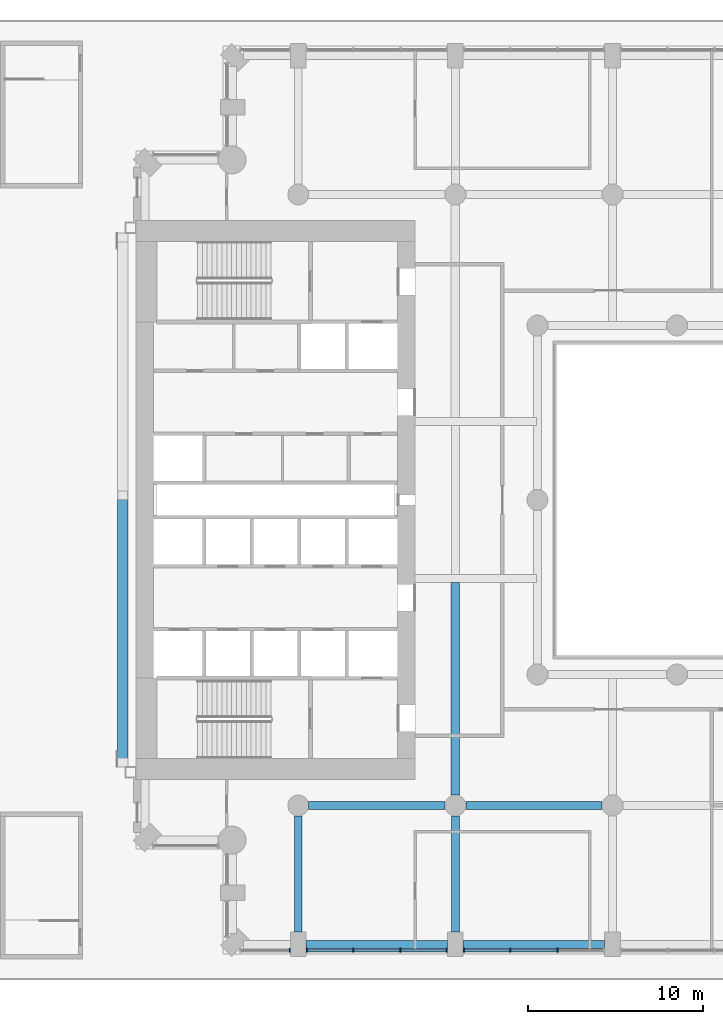
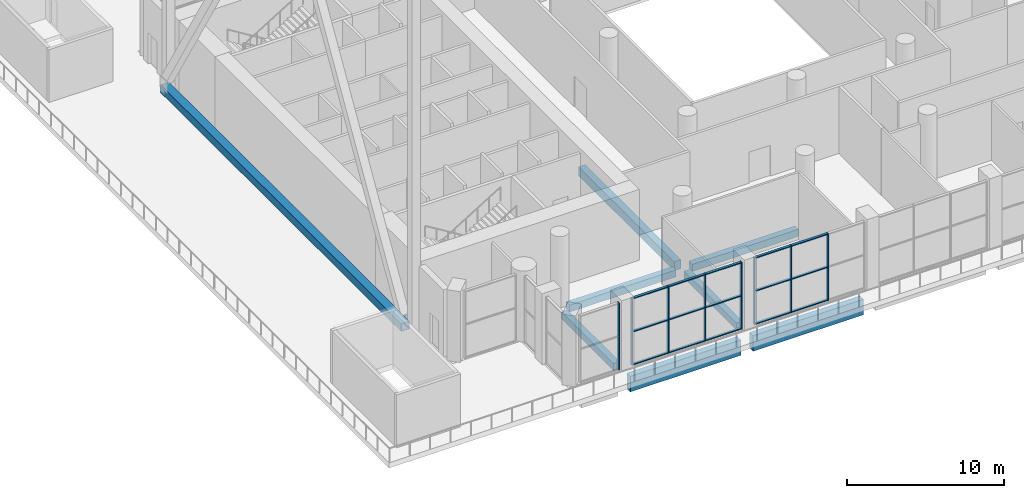
# One storey, part 4 of 26: 24 members, 7 beams, 3 elements without a shape of their own.
"""IFC4 building model written with IfcOpenShell, lengths in metres."""

from ifc_helpers import new_model, si_unit, direction, frame, origin, origin_2d, place, context, subcontext, project, spatial, rectangle, hollow_rectangle, extrude, material, material_profile, profile_set, type_object, element, aggregate, save


model = new_model("IFC4")

# Units and contexts
model_context = context("Model", 3, precision=1e-05, world=origin(), true_north=direction((0.0, 1.0)))
body_context = subcontext(model_context, "Body", "Model", "MODEL_VIEW")
ifc_project = project(units=[si_unit("LENGTHUNIT", "METRE"), si_unit("AREAUNIT", "SQUARE_METRE"), si_unit("VOLUMEUNIT", "CUBIC_METRE"), si_unit("PLANEANGLEUNIT", "RADIAN"), si_unit("MASSUNIT", "GRAM", prefix="KILO")], contexts=[model_context])

# Site, building, storey
site_placement = place(None, origin())
site = spatial("IfcSite", under=ifc_project, at=site_placement, CompositionType="ELEMENT")
building_placement = place(site_placement, origin())
building = spatial("IfcBuilding", under=site, at=building_placement, Name="Cypress Arch Tower", CompositionType="ELEMENT")
storey_placement = place(building_placement, frame((0.0, 0.0, 50.0)))
storey = spatial("IfcBuildingStorey", under=building, at=storey_placement, Name="L06", CompositionType="ELEMENT", Elevation=50.0)

# Beams
ifc_material_1 = material(Name="Concrete C50/60", Category="concrete")
ifc_material_profile_1 = material_profile(ifc_material_1, rectangle(XDim=0.449951171875, YDim=0.550048828125, at=origin_2d()), Name="RC 450x550")
ifc_profile_set_1 = profile_set([ifc_material_profile_1], Name="Concrete C50/60")
beam_type_1 = type_object("IfcBeamType", Name="Floor beam RC 450x550 Concrete C50/60", PredefinedType="BEAM", material=ifc_profile_set_1)
for number, where, z_axis, x_axis, name in (
    (1, (-20.10009765625, -17.5, -0.574951171875), (1.0, 0.0, 0.0), (0.0, 1.0, 0.0), "Floor beam L06 FB009"),
    (2, (-11.10009765625, -17.5, -0.574951171875), (1.0, 0.0, 0.0), (0.0, 1.0, 0.0), "Floor beam L06 FB010"),
):
    element("IfcBeam", number, at=place(storey_placement, frame(where, z_axis=z_axis, x_axis=x_axis)), inside=storey, type_object=beam_type_1, Name=name, PredefinedType="BEAM", context=body_context, shape_type="SweptSolid", body=[
        extrude(rectangle(XDim=0.449951171875, YDim=0.550048828125, at=origin_2d()), origin(), (0.0, 0.0, 1.0), 7.800048828125),
    ])
for number, where, z_axis, x_axis, name in (
    (3, (-20.699951171875, -24.75, -0.574951171875), (0.0, 1.0, 0.0), (-1.0, 0.0, 0.0), "Floor beam L06 FB019"),
    (4, (-11.699951171875, -24.75, -0.574951171875), (0.0, 1.0, 0.0), (-1.0, 0.0, 0.0), "Floor beam L06 FB021"),
):
    element("IfcBeam", number, at=place(storey_placement, frame(where, z_axis=z_axis, x_axis=x_axis)), inside=storey, type_object=beam_type_1, Name=name, PredefinedType="BEAM", context=body_context, shape_type="SweptSolid", body=[
        extrude(rectangle(XDim=0.449951171875, YDim=0.550048828125, at=origin_2d()), origin(), (0.0, 0.0, 1.0), 6.64990234375),
    ])
ifc_material_2 = material(Name="Concrete C50/60", Category="concrete")
ifc_material_profile_2 = material_profile(ifc_material_2, rectangle(XDim=0.5, YDim=0.699951171875, at=origin_2d()), Name="RC 500x700")
ifc_profile_set_2 = profile_set([ifc_material_profile_2], Name="Concrete C50/60")
beam_type_2 = type_object("IfcBeamType", Name="Floor beam RC 500x700 Concrete C50/60", PredefinedType="BEAM", material=ifc_profile_set_2)
beam_placement = place(storey_placement, frame((-11.699951171875, -16.89990234375, -0.64990234375), z_axis=(0.0, 1.0, 0.0), x_axis=(-1.0, 0.0, 0.0)))
element("IfcBeam", 5, at=beam_placement, inside=storey, type_object=beam_type_2, Name="Floor beam L06 FB022", PredefinedType="BEAM", context=body_context, shape_type="SweptSolid", body=[
    extrude(rectangle(XDim=0.5, YDim=0.699951171875, at=origin_2d()), origin(), (0.0, 0.0, 1.0), 12.1748046875),
])

# Curtain wall, member
ifc_material_3 = material(Name="Anodised aluminium, bronze finish, solar control laminated double glazing", Category="aluminium")
curtain_wall_type = type_object("IfcCurtainWallType", Name="Curtain wall CW3 sky lobby glazing", PredefinedType="NOTDEFINED", material=ifc_material_3)
curtain_wall_1_placement = place(storey_placement, origin())
curtain_wall_1 = element("IfcCurtainWall", 6, at=curtain_wall_1_placement, inside=storey, type_object=curtain_wall_type, Name="Curtain wall L06 A03.0.1", PredefinedType="NOTDEFINED")
ifc_material_4 = material(Name="Anodised aluminium, bronze finish", Category="aluminium")
ifc_material_profile_3 = material_profile(ifc_material_4, rectangle(XDim=0.219970703125, YDim=0.074951171875, at=origin_2d()), Name="Mullion 75x220")
ifc_profile_set_3 = profile_set([ifc_material_profile_3], Name="Anodised aluminium, bronze finish")
member_type_1 = type_object("IfcMemberType", Name="Mullion CW3 75x220", PredefinedType="MULLION", material=ifc_profile_set_3)
member_1_placement = place(storey_placement, frame((-21.1875, -25.800048828125, 0.0), z_axis=(0.0, 0.0, 1.0), x_axis=(0.0, 1.0, 0.0)))
member_1 = element("IfcMember", 7, at=member_1_placement, type_object=member_type_1, Name="CW3 mullion 2", PredefinedType="MULLION", context=body_context, shape_type="SweptSolid", body=[
    extrude(rectangle(XDim=0.219970703125, YDim=0.074951171875, at=origin_2d()), origin(), (0.0, 0.0, 1.0), 5.199951171875),
])
aggregate(curtain_wall_1, [member_1])

# Curtain wall, members
curtain_wall_2_placement = place(storey_placement, origin())
curtain_wall_2 = element("IfcCurtainWall", 8, at=curtain_wall_2_placement, inside=storey, type_object=curtain_wall_type, Name="Curtain wall L06 A03.1.1", PredefinedType="NOTDEFINED")
member_2_placement = place(storey_placement, frame((-20.21240234375, -25.800048828125, 0.0), z_axis=(0.0, 0.0, 1.0), x_axis=(0.0, 1.0, 0.0)))
member_2 = element("IfcMember", 9, at=member_2_placement, type_object=member_type_1, Name="CW3 mullion 1", PredefinedType="MULLION", context=body_context, shape_type="SweptSolid", body=[
    extrude(rectangle(XDim=0.219970703125, YDim=0.074951171875, at=origin_2d()), origin(), (0.0, 0.0, 1.0), 5.199951171875),
])
member_3_placement = place(storey_placement, frame((-17.550048828125, -25.800048828125, 0.0), z_axis=(0.0, 0.0, 1.0), x_axis=(0.0, 1.0, 0.0)))
member_3 = element("IfcMember", 10, at=member_3_placement, type_object=member_type_1, Name="CW3 mullion 2", PredefinedType="MULLION", context=body_context, shape_type="SweptSolid", body=[
    extrude(rectangle(XDim=0.219970703125, YDim=0.074951171875, at=origin_2d()), origin(), (0.0, 0.0, 1.0), 5.199951171875),
])
member_4_placement = place(storey_placement, frame((-14.85009765625, -25.800048828125, 0.0), z_axis=(0.0, 0.0, 1.0), x_axis=(0.0, 1.0, 0.0)))
member_4 = element("IfcMember", 11, at=member_4_placement, type_object=member_type_1, Name="CW3 mullion 3", PredefinedType="MULLION", context=body_context, shape_type="SweptSolid", body=[
    extrude(rectangle(XDim=0.219970703125, YDim=0.074951171875, at=origin_2d()), origin(), (0.0, 0.0, 1.0), 5.199951171875),
])
member_5_placement = place(storey_placement, frame((-12.1875, -25.800048828125, 0.0), z_axis=(0.0, 0.0, 1.0), x_axis=(0.0, 1.0, 0.0)))
member_5 = element("IfcMember", 12, at=member_5_placement, type_object=member_type_1, Name="CW3 mullion 4", PredefinedType="MULLION", context=body_context, shape_type="SweptSolid", body=[
    extrude(rectangle(XDim=0.219970703125, YDim=0.074951171875, at=origin_2d()), origin(), (0.0, 0.0, 1.0), 5.199951171875),
])

curtain_wall_3_placement = place(storey_placement, origin())
curtain_wall_3 = element("IfcCurtainWall", 13, at=curtain_wall_3_placement, inside=storey, type_object=curtain_wall_type, Name="Curtain wall L06 A03.2.1", PredefinedType="NOTDEFINED")
member_6_placement = place(storey_placement, frame((-11.21240234375, -25.800048828125, 0.0), z_axis=(0.0, 0.0, 1.0), x_axis=(0.0, 1.0, 0.0)))
member_6 = element("IfcMember", 14, at=member_6_placement, type_object=member_type_1, Name="CW3 mullion 1", PredefinedType="MULLION", context=body_context, shape_type="SweptSolid", body=[
    extrude(rectangle(XDim=0.219970703125, YDim=0.074951171875, at=origin_2d()), origin(), (0.0, 0.0, 1.0), 5.199951171875),
])
member_7_placement = place(storey_placement, frame((-8.550048828125, -25.800048828125, 0.0), z_axis=(0.0, 0.0, 1.0), x_axis=(0.0, 1.0, 0.0)))
member_7 = element("IfcMember", 15, at=member_7_placement, type_object=member_type_1, Name="CW3 mullion 2", PredefinedType="MULLION", context=body_context, shape_type="SweptSolid", body=[
    extrude(rectangle(XDim=0.219970703125, YDim=0.074951171875, at=origin_2d()), origin(), (0.0, 0.0, 1.0), 5.199951171875),
])
member_8_placement = place(storey_placement, frame((-5.85009765625, -25.800048828125, 0.0), z_axis=(0.0, 0.0, 1.0), x_axis=(0.0, 1.0, 0.0)))
member_8 = element("IfcMember", 16, at=member_8_placement, type_object=member_type_1, Name="CW3 mullion 3", PredefinedType="MULLION", context=body_context, shape_type="SweptSolid", body=[
    extrude(rectangle(XDim=0.219970703125, YDim=0.074951171875, at=origin_2d()), origin(), (0.0, 0.0, 1.0), 5.199951171875),
])

# Beams
ifc_material_5 = material(Name="Concrete C50/60", Category="concrete")
ifc_material_profile_4 = material_profile(ifc_material_5, rectangle(XDim=0.449951171875, YDim=1.199951171875, at=origin_2d()), Name="RC 450x1200")
ifc_profile_set_4 = profile_set([ifc_material_profile_4], Name="Concrete C50/60")
beam_type_3 = type_object("IfcBeamType", Name="Spandrel beam RC 450x1200 Concrete C50/60", PredefinedType="SPANDREL", material=ifc_profile_set_4)
for number, where, z_axis, x_axis, name in (
    (17, (-20.25, -25.47509765625, -1.550048828125), (1.0, 0.0, 0.0), (0.0, 1.0, 0.0), "Spandrel beam L06 BA03-1"),
    (18, (-11.25, -25.47509765625, -1.550048828125), (1.0, 0.0, 0.0), (0.0, 1.0, 0.0), "Spandrel beam L06 BA03-2"),
):
    element("IfcBeam", number, at=place(storey_placement, frame(where, z_axis=z_axis, x_axis=x_axis)), inside=storey, type_object=beam_type_3, Name=name, PredefinedType="SPANDREL", context=body_context, shape_type="SweptSolid", body=[
        extrude(rectangle(XDim=0.449951171875, YDim=1.199951171875, at=origin_2d()), origin(), (0.0, 0.0, 1.0), 8.10009765625),
    ])

# Member
ifc_material_6 = material(Name="Anodised aluminium, bronze finish", Category="aluminium")
ifc_material_profile_5 = material_profile(ifc_material_6, rectangle(XDim=0.179931640625, YDim=0.074951171875, at=origin_2d()), Name="Transom 75x180")
ifc_profile_set_5 = profile_set([ifc_material_profile_5], Name="Anodised aluminium, bronze finish")
member_type_2 = type_object("IfcMemberType", Name="Transom CW3 75x180", PredefinedType="USERDEFINED", material=ifc_profile_set_5)
member_9_placement = place(storey_placement, frame((-20.175048828125, -25.800048828125, 0.03759765625), z_axis=(1.0, 0.0, 0.0), x_axis=(0.0, 1.0, 0.0)))
member_9 = element("IfcMember", 19, at=member_9_placement, type_object=member_type_2, Name="CW3 transom 1.1", ObjectType="TRANSOM", PredefinedType="USERDEFINED", context=body_context, shape_type="SweptSolid", body=[
    extrude(rectangle(XDim=0.179931640625, YDim=0.074951171875, at=origin_2d()), origin(), (0.0, 0.0, 1.0), 2.587646484375),
])

member_10_placement = place(storey_placement, frame((-20.175048828125, -25.800048828125, 2.60009765625), z_axis=(1.0, 0.0, 0.0), x_axis=(0.0, 1.0, 0.0)))
member_10 = element("IfcMember", 20, at=member_10_placement, type_object=member_type_2, Name="CW3 transom 1.2", ObjectType="TRANSOM", PredefinedType="USERDEFINED", context=body_context, shape_type="SweptSolid", body=[
    extrude(rectangle(XDim=0.179931640625, YDim=0.074951171875, at=origin_2d()), origin(), (0.0, 0.0, 1.0), 2.587646484375),
])

member_11_placement = place(storey_placement, frame((-20.175048828125, -25.800048828125, 5.16259765625), z_axis=(1.0, 0.0, 0.0), x_axis=(0.0, 1.0, 0.0)))
member_11 = element("IfcMember", 21, at=member_11_placement, type_object=member_type_2, Name="CW3 transom 1.3", ObjectType="TRANSOM", PredefinedType="USERDEFINED", context=body_context, shape_type="SweptSolid", body=[
    extrude(rectangle(XDim=0.179931640625, YDim=0.074951171875, at=origin_2d()), origin(), (0.0, 0.0, 1.0), 2.587646484375),
])

member_12_placement = place(storey_placement, frame((-17.512451171875, -25.800048828125, 0.03759765625), z_axis=(1.0, 0.0, 0.0), x_axis=(0.0, 1.0, 0.0)))
member_12 = element("IfcMember", 22, at=member_12_placement, type_object=member_type_2, Name="CW3 transom 2.1", ObjectType="TRANSOM", PredefinedType="USERDEFINED", context=body_context, shape_type="SweptSolid", body=[
    extrude(rectangle(XDim=0.179931640625, YDim=0.074951171875, at=origin_2d()), origin(), (0.0, 0.0, 1.0), 2.625),
])

member_13_placement = place(storey_placement, frame((-17.512451171875, -25.800048828125, 2.60009765625), z_axis=(1.0, 0.0, 0.0), x_axis=(0.0, 1.0, 0.0)))
member_13 = element("IfcMember", 23, at=member_13_placement, type_object=member_type_2, Name="CW3 transom 2.2", ObjectType="TRANSOM", PredefinedType="USERDEFINED", context=body_context, shape_type="SweptSolid", body=[
    extrude(rectangle(XDim=0.179931640625, YDim=0.074951171875, at=origin_2d()), origin(), (0.0, 0.0, 1.0), 2.625),
])

member_14_placement = place(storey_placement, frame((-17.512451171875, -25.800048828125, 5.16259765625), z_axis=(1.0, 0.0, 0.0), x_axis=(0.0, 1.0, 0.0)))
member_14 = element("IfcMember", 24, at=member_14_placement, type_object=member_type_2, Name="CW3 transom 2.3", ObjectType="TRANSOM", PredefinedType="USERDEFINED", context=body_context, shape_type="SweptSolid", body=[
    extrude(rectangle(XDim=0.179931640625, YDim=0.074951171875, at=origin_2d()), origin(), (0.0, 0.0, 1.0), 2.625),
])

member_15_placement = place(storey_placement, frame((-14.8125, -25.800048828125, 0.03759765625), z_axis=(1.0, 0.0, 0.0), x_axis=(0.0, 1.0, 0.0)))
member_15 = element("IfcMember", 25, at=member_15_placement, type_object=member_type_2, Name="CW3 transom 3.1", ObjectType="TRANSOM", PredefinedType="USERDEFINED", context=body_context, shape_type="SweptSolid", body=[
    extrude(rectangle(XDim=0.179931640625, YDim=0.074951171875, at=origin_2d()), origin(), (0.0, 0.0, 1.0), 2.58740234375),
])

member_16_placement = place(storey_placement, frame((-14.8125, -25.800048828125, 2.60009765625), z_axis=(1.0, 0.0, 0.0), x_axis=(0.0, 1.0, 0.0)))
member_16 = element("IfcMember", 26, at=member_16_placement, type_object=member_type_2, Name="CW3 transom 3.2", ObjectType="TRANSOM", PredefinedType="USERDEFINED", context=body_context, shape_type="SweptSolid", body=[
    extrude(rectangle(XDim=0.179931640625, YDim=0.074951171875, at=origin_2d()), origin(), (0.0, 0.0, 1.0), 2.58740234375),
])

member_17_placement = place(storey_placement, frame((-14.8125, -25.800048828125, 5.16259765625), z_axis=(1.0, 0.0, 0.0), x_axis=(0.0, 1.0, 0.0)))
member_17 = element("IfcMember", 27, at=member_17_placement, type_object=member_type_2, Name="CW3 transom 3.3", ObjectType="TRANSOM", PredefinedType="USERDEFINED", context=body_context, shape_type="SweptSolid", body=[
    extrude(rectangle(XDim=0.179931640625, YDim=0.074951171875, at=origin_2d()), origin(), (0.0, 0.0, 1.0), 2.58740234375),
])

aggregate(curtain_wall_2, [member_2, member_3, member_4, member_5, member_9, member_10, member_11, member_12, member_13, member_14, member_15, member_16, member_17])

member_18_placement = place(storey_placement, frame((-11.175048828125, -25.800048828125, 0.03759765625), z_axis=(1.0, 0.0, 0.0), x_axis=(0.0, 1.0, 0.0)))
member_18 = element("IfcMember", 28, at=member_18_placement, type_object=member_type_2, Name="CW3 transom 1.1", ObjectType="TRANSOM", PredefinedType="USERDEFINED", context=body_context, shape_type="SweptSolid", body=[
    extrude(rectangle(XDim=0.179931640625, YDim=0.074951171875, at=origin_2d()), origin(), (0.0, 0.0, 1.0), 2.587646484375),
])

member_19_placement = place(storey_placement, frame((-11.175048828125, -25.800048828125, 2.60009765625), z_axis=(1.0, 0.0, 0.0), x_axis=(0.0, 1.0, 0.0)))
member_19 = element("IfcMember", 29, at=member_19_placement, type_object=member_type_2, Name="CW3 transom 1.2", ObjectType="TRANSOM", PredefinedType="USERDEFINED", context=body_context, shape_type="SweptSolid", body=[
    extrude(rectangle(XDim=0.179931640625, YDim=0.074951171875, at=origin_2d()), origin(), (0.0, 0.0, 1.0), 2.587646484375),
])

member_20_placement = place(storey_placement, frame((-11.175048828125, -25.800048828125, 5.16259765625), z_axis=(1.0, 0.0, 0.0), x_axis=(0.0, 1.0, 0.0)))
member_20 = element("IfcMember", 30, at=member_20_placement, type_object=member_type_2, Name="CW3 transom 1.3", ObjectType="TRANSOM", PredefinedType="USERDEFINED", context=body_context, shape_type="SweptSolid", body=[
    extrude(rectangle(XDim=0.179931640625, YDim=0.074951171875, at=origin_2d()), origin(), (0.0, 0.0, 1.0), 2.587646484375),
])

member_21_placement = place(storey_placement, frame((-8.512451171875, -25.800048828125, 0.03759765625), z_axis=(1.0, 0.0, 0.0), x_axis=(0.0, 1.0, 0.0)))
member_21 = element("IfcMember", 31, at=member_21_placement, type_object=member_type_2, Name="CW3 transom 2.1", ObjectType="TRANSOM", PredefinedType="USERDEFINED", context=body_context, shape_type="SweptSolid", body=[
    extrude(rectangle(XDim=0.179931640625, YDim=0.074951171875, at=origin_2d()), origin(), (0.0, 0.0, 1.0), 2.625),
])

member_22_placement = place(storey_placement, frame((-8.512451171875, -25.800048828125, 2.60009765625), z_axis=(1.0, 0.0, 0.0), x_axis=(0.0, 1.0, 0.0)))
member_22 = element("IfcMember", 32, at=member_22_placement, type_object=member_type_2, Name="CW3 transom 2.2", ObjectType="TRANSOM", PredefinedType="USERDEFINED", context=body_context, shape_type="SweptSolid", body=[
    extrude(rectangle(XDim=0.179931640625, YDim=0.074951171875, at=origin_2d()), origin(), (0.0, 0.0, 1.0), 2.625),
])

member_23_placement = place(storey_placement, frame((-8.512451171875, -25.800048828125, 5.16259765625), z_axis=(1.0, 0.0, 0.0), x_axis=(0.0, 1.0, 0.0)))
member_23 = element("IfcMember", 33, at=member_23_placement, type_object=member_type_2, Name="CW3 transom 2.3", ObjectType="TRANSOM", PredefinedType="USERDEFINED", context=body_context, shape_type="SweptSolid", body=[
    extrude(rectangle(XDim=0.179931640625, YDim=0.074951171875, at=origin_2d()), origin(), (0.0, 0.0, 1.0), 2.625),
])

aggregate(curtain_wall_3, [member_6, member_7, member_8, member_18, member_19, member_20, member_21, member_22, member_23])

ifc_material_7 = material(Name="Steel ASTM A501 Grade B", Category="steel")
ifc_material_profile_6 = material_profile(ifc_material_7, hollow_rectangle(XDim=0.609619140625, YDim=0.609619140625, WallThickness=0.023681640625, at=origin_2d()), Name="HSS 24x24x1")
ifc_profile_set_6 = profile_set([ifc_material_profile_6], Name="Steel ASTM A501 Grade B")
member_type_3 = type_object("IfcMemberType", Name="West bracing chord HSS 24x24x1 Steel ASTM A501 Grade B", PredefinedType="CHORD", material=ifc_profile_set_6)
member_24_placement = place(storey_placement, frame((-30.7548828125, -15.295166015625, 0.3046875), z_axis=(0.0, 1.0, 0.0), x_axis=(-1.0, 0.0, 0.0)))
element("IfcMember", 34, at=member_24_placement, inside=storey, type_object=member_type_3, Name="West bracing chord 1", PredefinedType="CHORD", context=body_context, shape_type="SweptSolid", body=[
    extrude(hollow_rectangle(XDim=0.609619140625, YDim=0.609619140625, WallThickness=0.023681640625, at=origin_2d()), origin(), (0.0, 0.0, 1.0), 30.59033203125),
])

save(model, "model.ifc")
